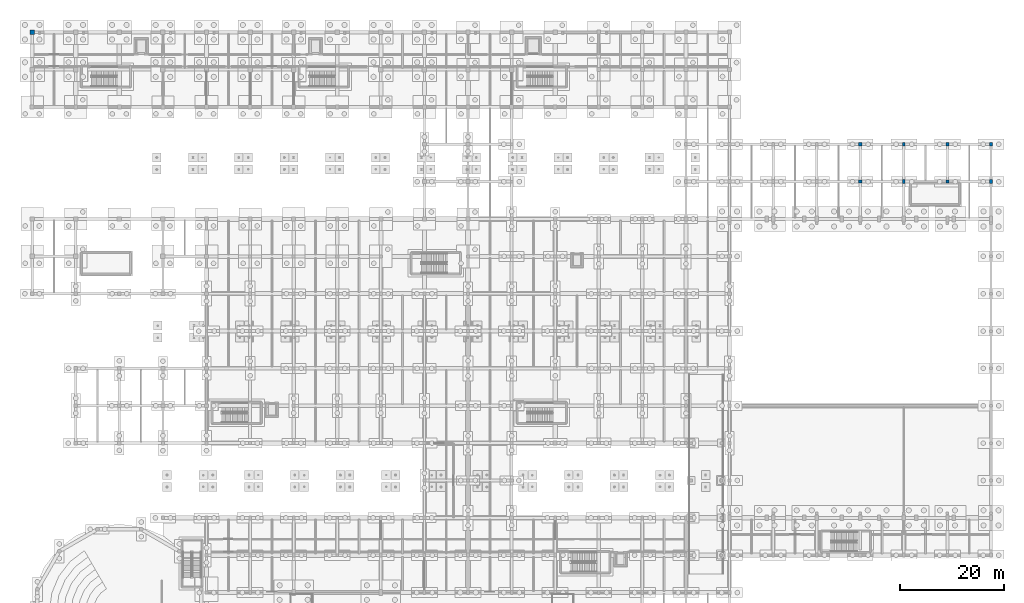
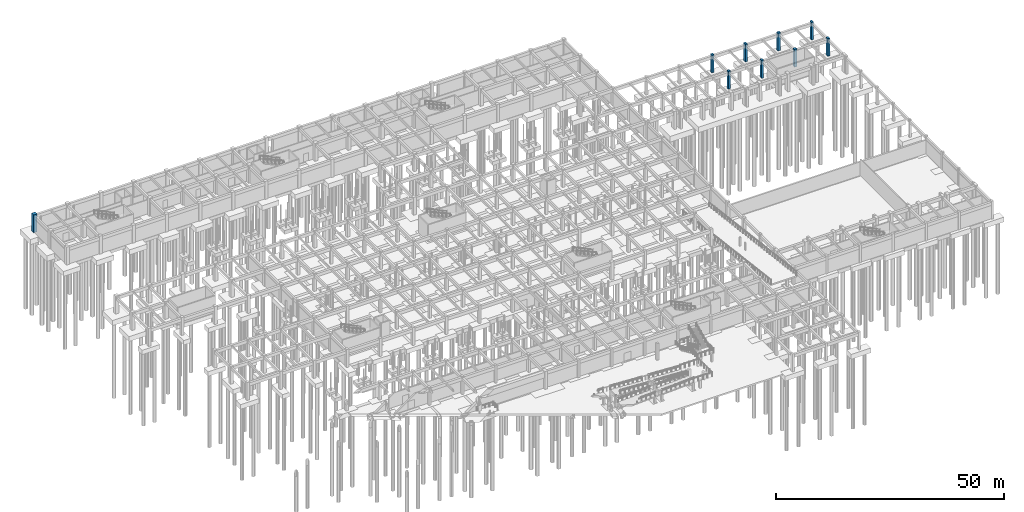
# One storey, part 48 of 80: 9 columns.
"""IFC4 building model written with IfcOpenShell, lengths in metres."""

from ifc_helpers import new_model, si_unit, direction, frame, origin, origin_2d, place, context, subcontext, project, spatial, rectangle, extrude, material, material_profile, profile_set, type_object, element, save


model = new_model("IFC4")

# Units and contexts
model_context = context("Model", 3, precision=1e-05, world=origin(), true_north=direction((0.0, 1.0)))
body_context = subcontext(model_context, "Body", "Model", "MODEL_VIEW")
ifc_project = project(units=[si_unit("LENGTHUNIT", "METRE"), si_unit("AREAUNIT", "SQUARE_METRE"), si_unit("VOLUMEUNIT", "CUBIC_METRE"), si_unit("PLANEANGLEUNIT", "RADIAN"), si_unit("MASSUNIT", "GRAM", prefix="KILO")], contexts=[model_context])

# Site, building, storey
site_placement = place(None, origin())
site = spatial("IfcSite", under=ifc_project, at=site_placement, CompositionType="ELEMENT")
building_placement = place(site_placement, origin())
building = spatial("IfcBuilding", under=site, at=building_placement, Name="Malvenik Polytechnic", CompositionType="ELEMENT")
storey_placement = place(building_placement, frame((0.0, 0.0, -4.800048828125)))
storey = spatial("IfcBuildingStorey", under=building, at=storey_placement, Name="B1", CompositionType="ELEMENT", Elevation=-4.800048828125)

# Columns
ifc_material_1 = material(Name="Concrete C40/50", Category="concrete")
ifc_material_profile_1 = material_profile(ifc_material_1, rectangle(XDim=0.85009765625, YDim=0.85009765625, at=origin_2d()), Name="RC COL 850x850")
ifc_profile_set_1 = profile_set([ifc_material_profile_1], Name="Concrete C40/50")
column_type_1 = type_object("IfcColumnType", Name="STR-COL-C-01", PredefinedType="COLUMN", material=ifc_profile_set_1)
column_placement = place(storey_placement, frame((0.0, 129.60009765625, 0.0), z_axis=(0.0, 0.0, 1.0), x_axis=(1.0, 0.0, 0.0)))
element("IfcColumn", 1, at=column_placement, inside=storey, type_object=column_type_1, Name="Column C-01 B1 (0.0,129.6)", PredefinedType="COLUMN", context=body_context, shape_type="SweptSolid", body=[
    extrude(rectangle(XDim=0.85009765625, YDim=0.85009765625, at=origin_2d()), origin(), (0.0, 0.0, 1.0), 4.800048828125),
])
ifc_material_2 = material(Name="Concrete C35/45", Category="concrete")
ifc_material_profile_2 = material_profile(ifc_material_2, rectangle(XDim=0.60009765625, YDim=0.60009765625, at=origin_2d()), Name="RC COL 600x600")
ifc_profile_set_2 = profile_set([ifc_material_profile_2], Name="Concrete C35/45")
column_type_2 = type_object("IfcColumnType", Name="STR-COL-C-06", PredefinedType="COLUMN", material=ifc_profile_set_2)
for number, where, z_axis, x_axis, name in (
    (2, (159.60009765625, 100.800048828125, 0.0), (0.0, 0.0, 1.0), (1.0, 0.0, 0.0), "Column C-06 B1 (159.6,100.8)"),
    (3, (159.60009765625, 108.0, 0.0), (0.0, 0.0, 1.0), (1.0, 0.0, 0.0), "Column C-06 B1 (159.6,108.0)"),
    (4, (176.39990234375, 100.800048828125, 0.0), (0.0, 0.0, 1.0), (1.0, 0.0, 0.0), "Column C-06 B1 (176.4,100.8)"),
    (5, (176.39990234375, 108.0, 0.0), (0.0, 0.0, 1.0), (1.0, 0.0, 0.0), "Column C-06 B1 (176.4,108.0)"),
):
    element("IfcColumn", number, at=place(storey_placement, frame(where, z_axis=z_axis, x_axis=x_axis)), inside=storey, type_object=column_type_2, Name=name, PredefinedType="COLUMN", context=body_context, shape_type="SweptSolid", body=[
        extrude(rectangle(XDim=0.60009765625, YDim=0.60009765625, at=origin_2d()), origin(), (0.0, 0.0, 1.0), 4.800048828125),
    ])
ifc_material_profile_3 = material_profile(ifc_material_2, rectangle(XDim=0.5, YDim=0.75, at=origin_2d()), Name="RC COL 750x500")
ifc_profile_set_3 = profile_set([ifc_material_profile_3], Name="Concrete C35/45")
column_type_3 = type_object("IfcColumnType", Name="STR-COL-C-14", PredefinedType="COLUMN", material=ifc_profile_set_3)
for number, where, z_axis, x_axis, name in (
    (6, (168.0, 100.800048828125, 0.0), (0.0, 0.0, 1.0), (1.0, 0.0, 0.0), "Column C-14 B1 (168.0,100.8)"),
    (7, (168.0, 108.0, 0.0), (0.0, 0.0, 1.0), (1.0, 0.0, 0.0), "Column C-14 B1 (168.0,108.0)"),
    (8, (184.800048828125, 100.800048828125, 0.0), (0.0, 0.0, 1.0), (1.0, 0.0, 0.0), "Column C-14 B1 (184.8,100.8)"),
    (9, (184.800048828125, 108.0, 0.0), (0.0, 0.0, 1.0), (1.0, 0.0, 0.0), "Column C-14 B1 (184.8,108.0)"),
):
    element("IfcColumn", number, at=place(storey_placement, frame(where, z_axis=z_axis, x_axis=x_axis)), inside=storey, type_object=column_type_3, Name=name, PredefinedType="COLUMN", context=body_context, shape_type="SweptSolid", body=[
        extrude(rectangle(XDim=0.5, YDim=0.75, at=origin_2d()), origin(), (0.0, 0.0, 1.0), 4.800048828125),
    ])

save(model, "model.ifc")
